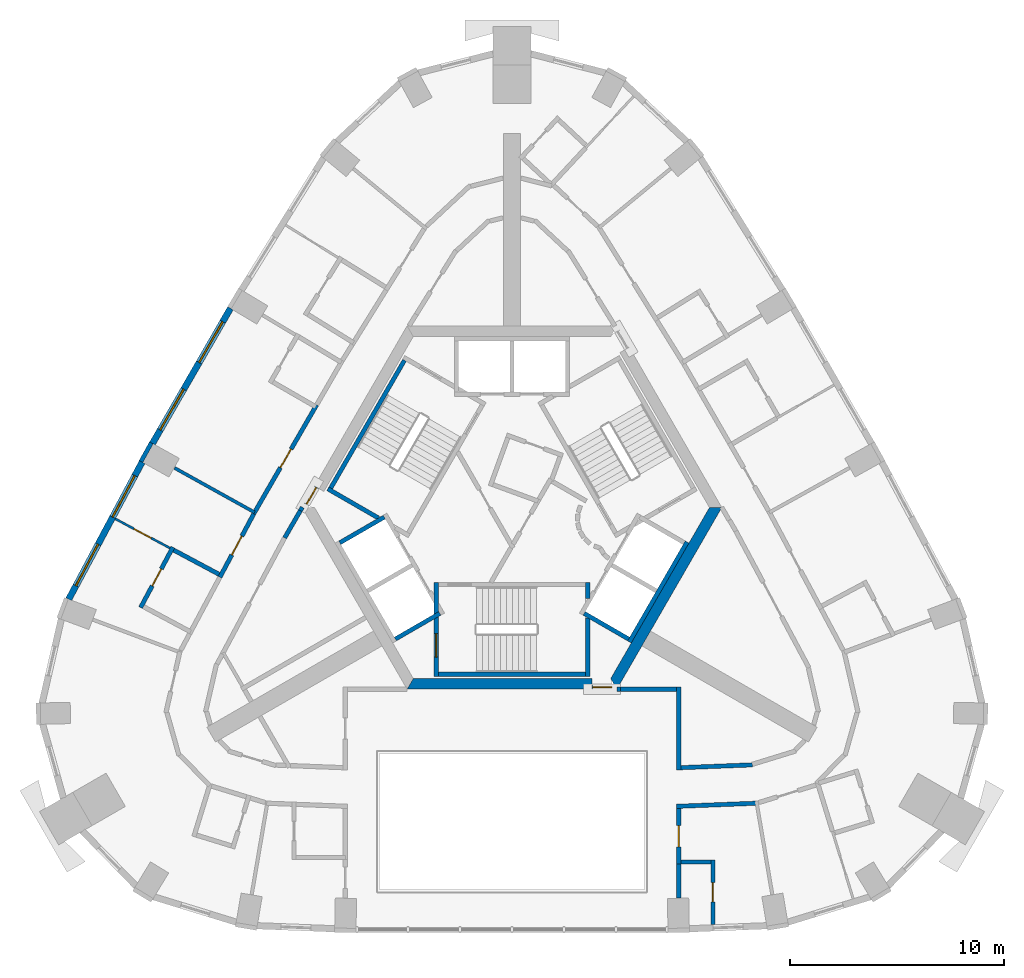
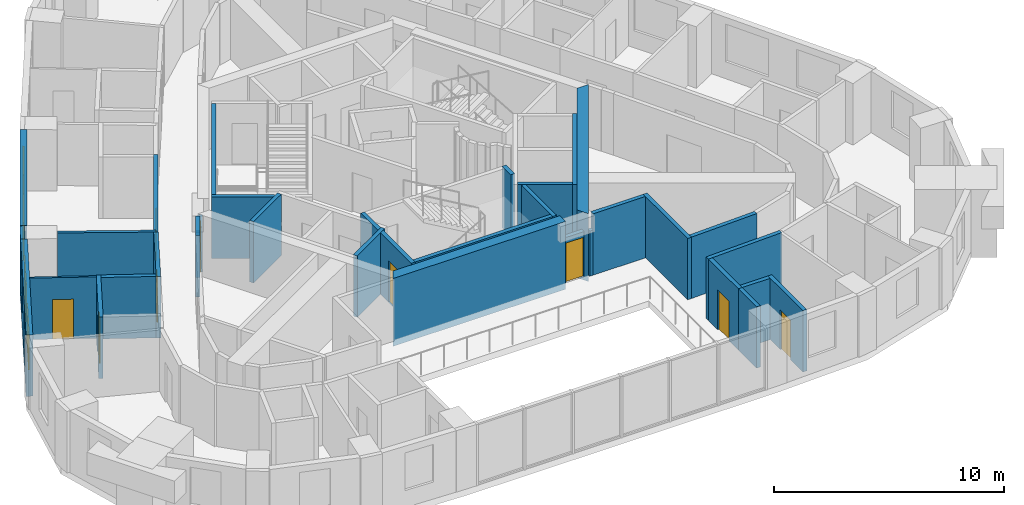
# One storey, part 3 of 10: 34 walls, 9 doors, 4 windows, 13 openings.
"""IFC4 building model written with IfcOpenShell, lengths in metres."""

from ifc_helpers import new_model, si_unit, direction, frame, frame_2d, origin, place, context, subcontext, project, spatial, polyline, rectangle, outline, extrude, material, layer, layer_set, type_object, element, fill, save


model = new_model("IFC4")

# Units and contexts
model_context = context("Model", 3, precision=1e-05, world=origin(), true_north=direction((0.0, 1.0)))
body_context = subcontext(model_context, "Body", "Model", "MODEL_VIEW")
ifc_project = project(units=[si_unit("LENGTHUNIT", "METRE"), si_unit("AREAUNIT", "SQUARE_METRE"), si_unit("VOLUMEUNIT", "CUBIC_METRE"), si_unit("PLANEANGLEUNIT", "RADIAN"), si_unit("MASSUNIT", "GRAM", prefix="KILO")], contexts=[model_context])

# Site, building, storey
site_placement = place(None, origin())
site = spatial("IfcSite", under=ifc_project, at=site_placement, CompositionType="ELEMENT")
building_placement = place(site_placement, origin())
building = spatial("IfcBuilding", under=site, at=building_placement, Name="Entoto Arch Interchange Tower", CompositionType="ELEMENT")
storey_placement = place(building_placement, frame((0.0, 0.0, 293.60009765625)))
storey = spatial("IfcBuildingStorey", under=building, at=storey_placement, Name="L68", CompositionType="ELEMENT", Elevation=293.60009765625)

# Wall, opening, door
ifc_material_1 = material(Name="Reinforced concrete C40/50", Category="concrete")
ifc_layer_1 = layer(ifc_material_1, 0.199951171875)
ifc_layer_set_1 = layer_set([ifc_layer_1], Name="Reinforced concrete C40/50")
wall_type_1 = type_object("IfcWallType", Name="CORE GAP INFILL WALL", PredefinedType="PARTITIONING", material=ifc_layer_set_1)
wall_1_placement = place(storey_placement, frame((3.75, -5.89990234375, 0.0), z_axis=(0.0, 0.0, 1.0), x_axis=(1.0, 0.0, 0.0)))
wall_1 = element("IfcWall", 1, at=wall_1_placement, inside=storey, type_object=wall_type_1, Name="wall:L68:gap1", PredefinedType="PARTITIONING", context=body_context, shape_type="SweptSolid", body=[
    extrude(rectangle(XDim=0.926025390625, YDim=0.199951171875, at=frame_2d((0.462890625, 0.0))), origin(), (0.0, 0.0, 1.0), 2.39990234375),
])
opening_1_placement = place(wall_1_placement, frame((0.01708984375, 0.0, 0.0)))
opening_1 = element("IfcOpeningElement", 2, at=opening_1_placement, cuts=wall_1, Name="Opening L68-D91", PredefinedType="OPENING", context=body_context, shape_type="SweptSolid", body=[
    extrude(rectangle(XDim=0.89990234375, YDim=2.10009765625, at=frame_2d((0.449951171875, 1.050048828125))), frame((0.0, 0.10986328125, 0.0), z_axis=(0.0, -1.0, 0.0), x_axis=(1.0, 0.0, 0.0)), (0.0, 0.0, 1.0), 0.219970703125),
])
ifc_material_2 = material(Name="Fire-rated Steel S235 door and frame", Category="steel")
door_type_1 = type_object("IfcDoorType", Name="DOOR FD-09 900x2100", OperationType="SINGLE_SWING_LEFT", PredefinedType="DOOR", material=ifc_material_2)
door_1_placement = place(opening_1_placement, origin())
door_1 = element("IfcDoor", 3, at=door_1_placement, inside=storey, type_object=door_type_1, Name="door:L68:gap1", OperationType="SINGLE_SWING_LEFT", OverallHeight=2.10009765625, OverallWidth=0.89990234375, PredefinedType="DOOR", context=body_context, shape_type="SweptSolid", body=[
    extrude(rectangle(XDim=0.89990234375, YDim=2.10009765625, at=frame_2d((0.449951171875, 1.050048828125))), frame((0.0, 0.02490234375, 0.0), z_axis=(0.0, -1.0, 0.0), x_axis=(1.0, 0.0, 0.0)), (0.0, 0.0, 1.0), 0.050048828125),
])
fill(opening_1, door_1)

wall_2_placement = place(storey_placement, frame((-9.14990234375, 3.451904296875, 0.0), z_axis=(0.0, 0.0, 1.0), x_axis=(-0.500079945886, -0.865979242085, 0.0)))
wall_2 = element("IfcWall", 4, at=wall_2_placement, inside=storey, type_object=wall_type_1, Name="wall:L68:gap3", PredefinedType="PARTITIONING", context=body_context, shape_type="SweptSolid", body=[
    extrude(rectangle(XDim=0.926025390625, YDim=0.199951171875, at=frame_2d((0.462890625, 0.0))), origin(), (0.0, 0.0, 1.0), 2.39990234375),
])
opening_2_placement = place(wall_2_placement, frame((0.01708984375, 0.0, 0.0)))
opening_2 = element("IfcOpeningElement", 5, at=opening_2_placement, cuts=wall_2, Name="Opening L68-D93", PredefinedType="OPENING", context=body_context, shape_type="SweptSolid", body=[
    extrude(rectangle(XDim=0.89990234375, YDim=2.10009765625, at=frame_2d((0.449951171875, 1.050048828125))), frame((0.0, 0.10986328125, 0.0), z_axis=(0.0, -1.0, 0.0), x_axis=(1.0, 0.0, 0.0)), (0.0, 0.0, 1.0), 0.219970703125),
])
door_2_placement = place(opening_2_placement, origin())
door_2 = element("IfcDoor", 6, at=door_2_placement, inside=storey, type_object=door_type_1, Name="door:L68:gap3", OperationType="SINGLE_SWING_LEFT", OverallHeight=2.10009765625, OverallWidth=0.89990234375, PredefinedType="DOOR", context=body_context, shape_type="SweptSolid", body=[
    extrude(rectangle(XDim=0.89990234375, YDim=2.10009765625, at=frame_2d((0.449951171875, 1.050048828125))), frame((0.0, 0.02490234375, 0.0), z_axis=(0.0, -1.0, 0.0), x_axis=(1.0, 0.0, 0.0)), (0.0, 0.0, 1.0), 0.050048828125),
])
fill(opening_2, door_2)

# Walls
ifc_material_3 = material(Name="Concrete C40/50", Category="concrete")
ifc_layer_2 = layer(ifc_material_3, 0.5)
ifc_layer_set_2 = layer_set([ifc_layer_2], Name="Concrete C40/50")
wall_type_2 = type_object("IfcWallType", Name="Core wall 500 C40/50", PredefinedType="SHEAR", material=ifc_layer_set_2)
wall_3_placement = place(storey_placement, frame((0.0, 0.0, -0.340087890625)))
element("IfcWall", 7, at=wall_3_placement, inside=storey, type_object=wall_type_2, Name="Core wall S L68", PredefinedType="SHEAR", context=body_context, shape_type="SweptSolid", body=[
    extrude(outline(polyline([(3.75, -6.0), (3.75, -5.5), (-4.618896484375, -5.5), (-4.906982421875, -6.0), (3.75, -6.0)])), origin(), (0.0, 0.0, 1.0), 3.60009765625),
])
wall_4_placement = place(storey_placement, frame((0.0, 0.0, -0.340087890625)))
element("IfcWall", 8, at=wall_4_placement, inside=storey, type_object=wall_type_2, Name="Core wall SE L68", PredefinedType="SHEAR", context=body_context, shape_type="SweptSolid", body=[
    extrude(outline(polyline([(4.906982421875, -6.0), (9.81494140625, 2.5), (9.238037109375, 2.5), (4.618896484375, -5.5), (4.906982421875, -6.0)])), origin(), (0.0, 0.0, 1.0), 3.60009765625),
])
ifc_layer_3 = layer(ifc_material_3, 0.199951171875)
ifc_layer_set_3 = layer_set([ifc_layer_3], Name="Concrete C40/50")
wall_type_3 = type_object("IfcWallType", Name="LIFT SHAFT WALL 200", PredefinedType="STANDARD", material=ifc_layer_set_3)
wall_5_placement = place(storey_placement, frame((-5.97705078125, 2.052001953125, 0.0), z_axis=(0.0, 0.0, 1.0), x_axis=(-0.865973769406, -0.500089422704, 0.0)))
element("IfcWall", 9, at=wall_5_placement, inside=storey, type_object=wall_type_3, Name="Shaft wall SW1 cross 1", PredefinedType="STANDARD", context=body_context, shape_type="SweptSolid", body=[
    extrude(rectangle(XDim=2.3994140625, YDim=0.199951171875, at=frame_2d((1.19970703125, 0.0))), origin(), (0.0, 0.0, 1.0), 3.260009765625),
])
wall_6_placement = place(storey_placement, frame((-3.376953125, -2.451904296875, 0.0), z_axis=(0.0, 0.0, 1.0), x_axis=(-0.865955154139, -0.50012165622, 0.0)))
element("IfcWall", 10, at=wall_6_placement, inside=storey, type_object=wall_type_3, Name="Shaft wall SW1 cross 3", PredefinedType="STANDARD", context=body_context, shape_type="SweptSolid", body=[
    extrude(rectangle(XDim=2.39990234375, YDim=0.199951171875, at=frame_2d((1.199951171875, 0.0))), origin(), (0.0, 0.0, 1.0), 3.260009765625),
])
wall_7_placement = place(storey_placement, frame((5.491943359375, -3.7880859375, 0.0), z_axis=(0.0, 0.0, 1.0), x_axis=(0.500034260056, 0.866005622828, 0.0)))
element("IfcWall", 11, at=wall_7_placement, inside=storey, type_object=wall_type_3, Name="Shaft wall SE1 back", PredefinedType="STANDARD", context=body_context, shape_type="SweptSolid", body=[
    extrude(rectangle(XDim=5.3994140625, YDim=0.199951171875, at=frame_2d((2.69970703125, 0.0))), origin(), (0.0, 0.0, 1.0), 3.260009765625),
])
wall_8_placement = place(storey_placement, frame((3.376953125, -2.451904296875, 0.0), z_axis=(0.0, 0.0, 1.0), x_axis=(0.865955154139, -0.50012165622, 0.0)))
element("IfcWall", 12, at=wall_8_placement, inside=storey, type_object=wall_type_3, Name="Shaft wall SE1 cross 1", PredefinedType="STANDARD", context=body_context, shape_type="SweptSolid", body=[
    extrude(rectangle(XDim=2.39990234375, YDim=0.199951171875, at=frame_2d((1.199951171875, 0.0))), origin(), (0.0, 0.0, 1.0), 3.260009765625),
])

# Wall, opening, door
ifc_material_4 = material(Name="Gypsum board partition on steel studs", Category="steel")
ifc_layer_4 = layer(ifc_material_4, 0.10009765625)
ifc_layer_set_4 = layer_set([ifc_layer_4], Name="Gypsum board partition on steel studs")
wall_type_4 = type_object("IfcWallType", Name="PARTITION 100", PredefinedType="PARTITIONING", material=ifc_layer_set_4)
wall_9_placement = place(storey_placement, frame((-16.0, 0.60205078125, 0.0), z_axis=(0.0, 0.0, 1.0), x_axis=(-0.881743923375, 0.47172836844, 0.0)))
wall_9 = element("IfcWall", 13, at=wall_9_placement, inside=storey, type_object=wall_type_4, Name="wall:L68:p122", PredefinedType="PARTITIONING", context=body_context, shape_type="SweptSolid", body=[
    extrude(rectangle(XDim=2.89990234375, YDim=0.10009765625, at=frame_2d((1.449951171875, 0.0))), origin(), (0.0, 0.0, 1.0), 3.260009765625),
])
opening_3_placement = place(wall_9_placement, frame((1.0, 0.0, 0.0)))
opening_3 = element("IfcOpeningElement", 14, at=opening_3_placement, cuts=wall_9, Name="Opening L68-D22", PredefinedType="OPENING", context=body_context, shape_type="SweptSolid", body=[
    extrude(rectangle(XDim=0.89990234375, YDim=2.10009765625, at=frame_2d((0.449951171875, 1.050048828125))), frame((0.0, 0.06005859375, 0.0), z_axis=(0.0, -1.0, 0.0), x_axis=(1.0, 0.0, 0.0)), (0.0, 0.0, 1.0), 0.1201171875),
])
ifc_material_5 = material(Name="Timber door leaf in Steel S235 frame", Category="steel")
door_type_2 = type_object("IfcDoorType", Name="DOOR DS-09 900x2100", OperationType="SINGLE_SWING_LEFT", PredefinedType="DOOR", material=ifc_material_5)
door_3_placement = place(opening_3_placement, origin())
door_3 = element("IfcDoor", 15, at=door_3_placement, inside=storey, type_object=door_type_2, Name="door:L68:22", OperationType="SINGLE_SWING_LEFT", OverallHeight=2.10009765625, OverallWidth=0.89990234375, PredefinedType="DOOR", context=body_context, shape_type="SweptSolid", body=[
    extrude(rectangle(XDim=0.89990234375, YDim=2.10009765625, at=frame_2d((0.449951171875, 1.050048828125))), frame((0.0, 0.02490234375, 0.0), z_axis=(0.0, -1.0, 0.0), x_axis=(1.0, 0.0, 0.0)), (0.0, 0.0, 1.0), 0.050048828125),
])
fill(opening_3, door_3)

# Walls
ifc_layer_5 = layer(ifc_material_4, 0.14990234375)
ifc_layer_set_5 = layer_set([ifc_layer_5], Name="Gypsum board partition on steel studs")
wall_type_5 = type_object("IfcWallType", Name="PARTITION 150", PredefinedType="PARTITIONING", material=ifc_layer_set_5)
wall_10_placement = place(storey_placement, frame((-12.044921875, 2.27197265625, 0.0), z_axis=(0.0, 0.0, 1.0), x_axis=(-0.873982340973, 0.485957680943, 0.0)))
element("IfcWall", 16, at=wall_10_placement, inside=storey, type_object=wall_type_5, Name="wall:L68:p121", PredefinedType="PARTITIONING", context=body_context, shape_type="SweptSolid", body=[
    extrude(rectangle(XDim=4.2802734375, YDim=0.14990234375, at=frame_2d((2.14013671875, 0.0))), origin(), (0.0, 0.0, 1.0), 3.260009765625),
])
ifc_layer_6 = layer(ifc_material_4, 0.199951171875)
ifc_layer_set_6 = layer_set([ifc_layer_6], Name="Gypsum board partition on steel studs")
wall_type_6 = type_object("IfcWallType", Name="PARTITION 200", PredefinedType="PARTITIONING", material=ifc_layer_set_6)
wall_11_placement = place(storey_placement, frame((7.89990234375, -9.6708984375, 0.0), z_axis=(0.0, 0.0, 1.0), x_axis=(0.999223751627, 0.039394088186, 0.0)))
element("IfcWall", 17, at=wall_11_placement, inside=storey, type_object=wall_type_6, Name="wall:L68:p013", PredefinedType="PARTITIONING", context=body_context, shape_type="SweptSolid", body=[
    extrude(rectangle(XDim=3.3466796875, YDim=0.199951171875, at=frame_2d((1.67333984375, 0.0))), origin(), (0.0, 0.0, 1.0), 3.260009765625),
])
wall_12_placement = place(storey_placement, frame((-9.80908203125, 2.513916015625, 0.0), z_axis=(0.0, 0.0, 1.0), x_axis=(-0.497849076449, -0.867263683708, 0.0)))
element("IfcWall", 18, at=wall_12_placement, inside=storey, type_object=wall_type_6, Name="wall:L68:p021", PredefinedType="PARTITIONING", context=body_context, shape_type="SweptSolid", body=[
    extrude(rectangle(XDim=0.184326171875, YDim=0.199951171875, at=frame_2d((0.09228515625, 0.0))), origin(), (0.0, 0.0, 1.0), 2.39990234375),
])
wall_13_placement = place(storey_placement, frame((11.47412109375, -11.33203125, 0.0), z_axis=(0.0, 0.0, 1.0), x_axis=(-0.999232546126, -0.039170381199, 0.0)))
element("IfcWall", 19, at=wall_13_placement, inside=storey, type_object=wall_type_6, Name="wall:L68:p030", PredefinedType="PARTITIONING", context=body_context, shape_type="SweptSolid", body=[
    extrude(rectangle(XDim=3.777099609375, YDim=0.199951171875, at=frame_2d((1.888671875, 0.0))), origin(), (0.0, 0.0, 1.0), 3.260009765625),
])

# Wall, opening, door
wall_14_placement = place(storey_placement, frame((-12.08203125, 2.20703125, 0.0), z_axis=(0.0, 0.0, 1.0), x_axis=(0.500123454404, 0.865954115618, 0.0)))
wall_14 = element("IfcWall", 20, at=wall_14_placement, inside=storey, type_object=wall_type_6, Name="wall:L68:p049", PredefinedType="PARTITIONING", context=body_context, shape_type="SweptSolid", body=[
    extrude(rectangle(XDim=5.884765625, YDim=0.199951171875, at=frame_2d((2.9423828125, 0.0))), origin(), (0.0, 0.0, 1.0), 3.260009765625),
])
opening_4_placement = place(wall_14_placement, frame((2.492919921875, 0.0, 0.0)))
opening_4 = element("IfcOpeningElement", 21, at=opening_4_placement, cuts=wall_14, Name="Opening L68-D19", PredefinedType="OPENING", context=body_context, shape_type="SweptSolid", body=[
    extrude(rectangle(XDim=1.0, YDim=2.10009765625, at=frame_2d((0.5, 1.050048828125))), frame((0.0, 0.10986328125, 0.0), z_axis=(0.0, -1.0, 0.0), x_axis=(1.0, 0.0, 0.0)), (0.0, 0.0, 1.0), 0.219970703125),
])
door_type_3 = type_object("IfcDoorType", Name="DOOR FD-10 1000x2100", OperationType="SINGLE_SWING_LEFT", PredefinedType="DOOR", material=ifc_material_2)
door_4_placement = place(opening_4_placement, origin())
door_4 = element("IfcDoor", 22, at=door_4_placement, inside=storey, type_object=door_type_3, Name="door:L68:19", OperationType="SINGLE_SWING_LEFT", OverallHeight=2.10009765625, OverallWidth=1.0, PredefinedType="DOOR", context=body_context, shape_type="SweptSolid", body=[
    extrude(rectangle(XDim=1.0, YDim=2.10009765625, at=frame_2d((0.5, 1.050048828125))), frame((0.0, 0.02490234375, 0.0), z_axis=(0.0, -1.0, 0.0), x_axis=(1.0, 0.0, 0.0)), (0.0, 0.0, 1.0), 0.050048828125),
])
fill(opening_4, door_4)

wall_15_placement = place(storey_placement, frame((-13.666015625, -0.760009765625, 0.0), z_axis=(0.0, 0.0, 1.0), x_axis=(0.471643060173, 0.881789557543, 0.0)))
wall_15 = element("IfcWall", 23, at=wall_15_placement, inside=storey, type_object=wall_type_6, Name="wall:L68:p051", PredefinedType="PARTITIONING", context=body_context, shape_type="SweptSolid", body=[
    extrude(rectangle(XDim=3.362548828125, YDim=0.199951171875, at=frame_2d((1.68115234375, 0.0))), origin(), (0.0, 0.0, 1.0), 3.260009765625),
])
opening_5_placement = place(wall_15_placement, frame((1.180908203125, 0.0, 0.0)))
opening_5 = element("IfcOpeningElement", 24, at=opening_5_placement, cuts=wall_15, Name="Opening L68-D21", PredefinedType="OPENING", context=body_context, shape_type="SweptSolid", body=[
    extrude(rectangle(XDim=1.0, YDim=2.10009765625, at=frame_2d((0.5, 1.050048828125))), frame((0.0, 0.10986328125, 0.0), z_axis=(0.0, -1.0, 0.0), x_axis=(1.0, 0.0, 0.0)), (0.0, 0.0, 1.0), 0.219970703125),
])
door_5_placement = place(opening_5_placement, origin())
door_5 = element("IfcDoor", 25, at=door_5_placement, inside=storey, type_object=door_type_3, Name="door:L68:21", OperationType="SINGLE_SWING_LEFT", OverallHeight=2.10009765625, OverallWidth=1.0, PredefinedType="DOOR", context=body_context, shape_type="SweptSolid", body=[
    extrude(rectangle(XDim=1.0, YDim=2.10009765625, at=frame_2d((0.5, 1.050048828125))), frame((0.0, 0.02490234375, 0.0), z_axis=(0.0, -1.0, 0.0), x_axis=(1.0, 0.0, 0.0)), (0.0, 0.0, 1.0), 0.050048828125),
])
fill(opening_5, door_5)

# Walls
wall_16_placement = place(storey_placement, frame((4.907958984375, -5.9990234375, 0.0), z_axis=(0.0, 0.0, 1.0), x_axis=(1.0, 0.0, 0.0)))
element("IfcWall", 26, at=wall_16_placement, inside=storey, type_object=wall_type_6, Name="wall:L68:p073", PredefinedType="PARTITIONING", context=body_context, shape_type="SweptSolid", body=[
    extrude(rectangle(XDim=0.16796875, YDim=0.199951171875, at=frame_2d((0.083984375, 0.0))), origin(), (0.0, 0.0, 1.0), 2.39990234375),
])
wall_17_placement = place(storey_placement, frame((7.800048828125, -5.89892578125, 0.0), z_axis=(0.0, 0.0, 1.0), x_axis=(0.0, -1.0, 0.0)))
element("IfcWall", 27, at=wall_17_placement, inside=storey, type_object=wall_type_6, Name="wall:L68:p074", PredefinedType="PARTITIONING", context=body_context, shape_type="SweptSolid", body=[
    extrude(rectangle(XDim=3.8759765625, YDim=0.199951171875, at=frame_2d((1.93798828125, 0.0))), origin(), (0.0, 0.0, 1.0), 3.260009765625),
])

# Wall, opening, door
wall_18_placement = place(storey_placement, frame((7.800048828125, -11.575927734375, 0.0), z_axis=(0.0, 0.0, 1.0), x_axis=(0.0, -1.0, 0.0)))
wall_18 = element("IfcWall", 28, at=wall_18_placement, inside=storey, type_object=wall_type_6, Name="wall:L68:p077", PredefinedType="PARTITIONING", context=body_context, shape_type="SweptSolid", body=[
    extrude(rectangle(XDim=2.60498046875, YDim=0.199951171875, at=frame_2d((1.302490234375, 0.0))), origin(), (0.0, 0.0, 1.0), 3.260009765625),
])
opening_6_placement = place(wall_18_placement, frame((0.802001953125, 0.0, 0.0)))
opening_6 = element("IfcOpeningElement", 29, at=opening_6_placement, cuts=wall_18, Name="Opening L68-D01", PredefinedType="OPENING", context=body_context, shape_type="SweptSolid", body=[
    extrude(rectangle(XDim=1.0, YDim=2.10009765625, at=frame_2d((0.5, 1.050048828125))), frame((0.0, 0.10986328125, 0.0), z_axis=(0.0, -1.0, 0.0), x_axis=(1.0, 0.0, 0.0)), (0.0, 0.0, 1.0), 0.219970703125),
])
door_6_placement = place(opening_6_placement, origin())
door_6 = element("IfcDoor", 30, at=door_6_placement, inside=storey, type_object=door_type_3, Name="door:L68:01", OperationType="SINGLE_SWING_LEFT", OverallHeight=2.10009765625, OverallWidth=1.0, PredefinedType="DOOR", context=body_context, shape_type="SweptSolid", body=[
    extrude(rectangle(XDim=1.0, YDim=2.10009765625, at=frame_2d((0.5, 1.050048828125))), frame((0.0, 0.02490234375, 0.0), z_axis=(0.0, -1.0, 0.0), x_axis=(1.0, 0.0, 0.0)), (0.0, 0.0, 1.0), 0.050048828125),
])
fill(opening_6, door_6)

# Wall
wall_19_placement = place(storey_placement, frame((7.800048828125, -14.180908203125, 0.0), z_axis=(0.0, 0.0, 1.0), x_axis=(0.0, -1.0, 0.0)))
element("IfcWall", 31, at=wall_19_placement, inside=storey, type_object=wall_type_6, Name="wall:L68:p078", PredefinedType="PARTITIONING", context=body_context, shape_type="SweptSolid", body=[
    extrude(rectangle(XDim=1.580078125, YDim=0.199951171875, at=frame_2d((0.7900390625, 0.0))), origin(), (0.0, 0.0, 1.0), 3.260009765625),
])

# Wall, opening, door
wall_20_placement = place(storey_placement, frame((9.39990234375, -17.01806640625, 0.0), z_axis=(0.0, 0.0, 1.0), x_axis=(0.0, 1.0, 0.0)))
wall_20 = element("IfcWall", 32, at=wall_20_placement, inside=storey, type_object=wall_type_6, Name="wall:L68:p085", PredefinedType="PARTITIONING", context=body_context, shape_type="SweptSolid", body=[
    extrude(rectangle(XDim=3.037109375, YDim=0.199951171875, at=frame_2d((1.5185546875, 0.0))), origin(), (0.0, 0.0, 1.0), 3.260009765625),
])
opening_7_placement = place(wall_20_placement, frame((1.069091796875, 0.0, 0.0)))
opening_7 = element("IfcOpeningElement", 33, at=opening_7_placement, cuts=wall_20, Name="Opening L68-D02", PredefinedType="OPENING", context=body_context, shape_type="SweptSolid", body=[
    extrude(rectangle(XDim=0.89990234375, YDim=2.10009765625, at=frame_2d((0.449951171875, 1.050048828125))), frame((0.0, 0.10986328125, 0.0), z_axis=(0.0, -1.0, 0.0), x_axis=(1.0, 0.0, 0.0)), (0.0, 0.0, 1.0), 0.219970703125),
])
door_7_placement = place(opening_7_placement, origin())
door_7 = element("IfcDoor", 34, at=door_7_placement, inside=storey, type_object=door_type_2, Name="door:L68:02", OperationType="SINGLE_SWING_RIGHT", OverallHeight=2.10009765625, OverallWidth=0.89990234375, PredefinedType="DOOR", context=body_context, shape_type="SweptSolid", body=[
    extrude(rectangle(XDim=0.89990234375, YDim=2.10009765625, at=frame_2d((0.449951171875, 1.050048828125))), frame((0.0, 0.02490234375, 0.0), z_axis=(0.0, -1.0, 0.0), x_axis=(1.0, 0.0, 0.0)), (0.0, 0.0, 1.0), 0.050048828125),
])
fill(opening_7, door_7)

# Walls
wall_21_placement = place(storey_placement, frame((9.300048828125, -14.0810546875, 0.0), z_axis=(0.0, 0.0, 1.0), x_axis=(-1.0, 0.0, 0.0)))
element("IfcWall", 35, at=wall_21_placement, inside=storey, type_object=wall_type_6, Name="wall:L68:p086", PredefinedType="PARTITIONING", context=body_context, shape_type="SweptSolid", body=[
    extrude(rectangle(XDim=1.400146484375, YDim=0.199951171875, at=frame_2d((0.7001953125, 0.0))), origin(), (0.0, 0.0, 1.0), 3.260009765625),
])
wall_22_placement = place(storey_placement, frame((-13.70703125, -0.6240234375, 0.0), z_axis=(0.0, 0.0, 1.0), x_axis=(-0.881825950813, 0.471575012562, 0.0)))
element("IfcWall", 36, at=wall_22_placement, inside=storey, type_object=wall_type_6, Name="wall:L68:p123", PredefinedType="PARTITIONING", context=body_context, shape_type="SweptSolid", body=[
    extrude(rectangle(XDim=2.400634765625, YDim=0.199951171875, at=frame_2d((1.2001953125, 0.0))), origin(), (0.0, 0.0, 1.0), 3.260009765625),
])

# Wall, opening, door
wall_23_placement = place(storey_placement, frame((-15.864990234375, 0.64306640625, 0.0), z_axis=(0.0, 0.0, 1.0), x_axis=(-0.471677088066, -0.881771356188, 0.0)))
wall_23 = element("IfcWall", 37, at=wall_23_placement, inside=storey, type_object=wall_type_6, Name="wall:L68:p124", PredefinedType="PARTITIONING", context=body_context, shape_type="SweptSolid", body=[
    extrude(rectangle(XDim=3.19921875, YDim=0.199951171875, at=frame_2d((1.599609375, 0.0))), origin(), (0.0, 0.0, 1.0), 3.260009765625),
])
opening_8_placement = place(wall_23_placement, frame((1.14990234375, 0.0, 0.0)))
opening_8 = element("IfcOpeningElement", 38, at=opening_8_placement, cuts=wall_23, Name="Opening L68-D23", PredefinedType="OPENING", context=body_context, shape_type="SweptSolid", body=[
    extrude(rectangle(XDim=0.89990234375, YDim=2.10009765625, at=frame_2d((0.449951171875, 1.050048828125))), frame((0.0, 0.10986328125, 0.0), z_axis=(0.0, -1.0, 0.0), x_axis=(1.0, 0.0, 0.0)), (0.0, 0.0, 1.0), 0.219970703125),
])
door_8_placement = place(opening_8_placement, origin())
door_8 = element("IfcDoor", 39, at=door_8_placement, inside=storey, type_object=door_type_2, Name="door:L68:23", OperationType="SINGLE_SWING_LEFT", OverallHeight=2.10009765625, OverallWidth=0.89990234375, PredefinedType="DOOR", context=body_context, shape_type="SweptSolid", body=[
    extrude(rectangle(XDim=0.89990234375, YDim=2.10009765625, at=frame_2d((0.449951171875, 1.050048828125))), frame((0.0, 0.02490234375, 0.0), z_axis=(0.0, -1.0, 0.0), x_axis=(1.0, 0.0, 0.0)), (0.0, 0.0, 1.0), 0.050048828125),
])
fill(opening_8, door_8)

# Walls
wall_24_placement = place(storey_placement, frame((-9.90087890625, 2.35400390625, 0.0), z_axis=(0.0, 0.0, 1.0), x_axis=(-0.500374498448, -0.865809079014, 0.0)))
element("IfcWall", 40, at=wall_24_placement, inside=storey, type_object=wall_type_6, Name="wall:L68:p021", PredefinedType="PARTITIONING", context=body_context, shape_type="SweptSolid", body=[
    extrude(rectangle(XDim=1.468994140625, YDim=0.199951171875, at=frame_2d((0.734375, 0.0))), origin(), (0.0, 0.0, 1.0), 3.260009765625),
])
wall_25_placement = place(storey_placement, frame((5.075927734375, -5.9990234375, 0.0), z_axis=(0.0, 0.0, 1.0), x_axis=(1.0, 0.0, 0.0)))
element("IfcWall", 41, at=wall_25_placement, inside=storey, type_object=wall_type_6, Name="wall:L68:p073", PredefinedType="PARTITIONING", context=body_context, shape_type="SweptSolid", body=[
    extrude(rectangle(XDim=2.6240234375, YDim=0.199951171875, at=frame_2d((1.31201171875, 0.0))), origin(), (0.0, 0.0, 1.0), 3.260009765625),
])

# Wall, opening, door
ifc_layer_7 = layer(ifc_material_3, 0.199951171875)
ifc_layer_set_7 = layer_set([ifc_layer_7], Name="Concrete C40/50")
wall_type_7 = type_object("IfcWallType", Name="STAIR ENCLOSURE WALL 200", PredefinedType="STANDARD", material=ifc_layer_set_7)
wall_26_placement = place(storey_placement, frame((-3.550048828125, -1.0, 0.0), z_axis=(0.0, 0.0, 1.0), x_axis=(0.0, -1.0, 0.0)))
wall_26 = element("IfcWall", 42, at=wall_26_placement, inside=storey, type_object=wall_type_7, Name="Stair wall ST-S near", PredefinedType="STANDARD", context=body_context, shape_type="SweptSolid", body=[
    extrude(rectangle(XDim=4.39990234375, YDim=0.199951171875, at=frame_2d((2.199951171875, 0.0))), origin(), (0.0, 0.0, 1.0), 3.260009765625),
])
opening_9_placement = place(wall_26_placement, frame((2.39990234375, 0.0, 0.0)))
opening_9 = element("IfcOpeningElement", 43, at=opening_9_placement, cuts=wall_26, Name="Opening SD-ST-S-L68-E", PredefinedType="OPENING", context=body_context, shape_type="SweptSolid", body=[
    extrude(rectangle(XDim=1.10009765625, YDim=2.199951171875, at=frame_2d((0.550048828125, 1.10009765625))), frame((0.0, 0.10986328125, 0.0), z_axis=(0.0, -1.0, 0.0), x_axis=(1.0, 0.0, 0.0)), (0.0, 0.0, 1.0), 0.219970703125),
])
ifc_material_6 = material(Name="Steel S235", Category="steel")
door_type_4 = type_object("IfcDoorType", Name="STAIR DOOR SD1 1100x2200", OperationType="SINGLE_SWING_LEFT", PredefinedType="DOOR", material=ifc_material_6)
door_9_placement = place(opening_9_placement, origin())
door_9 = element("IfcDoor", 44, at=door_9_placement, inside=storey, type_object=door_type_4, Name="Stair door ST-S L68 end", OperationType="SINGLE_SWING_LEFT", OverallHeight=2.199951171875, OverallWidth=1.10009765625, PredefinedType="DOOR", context=body_context, shape_type="SweptSolid", body=[
    extrude(rectangle(XDim=1.10009765625, YDim=2.199951171875, at=frame_2d((0.550048828125, 1.10009765625))), frame((0.0, 0.02490234375, 0.0), z_axis=(0.0, -1.0, 0.0), x_axis=(1.0, 0.0, 0.0)), (0.0, 0.0, 1.0), 0.050048828125),
])
fill(opening_9, door_9)

# Walls
wall_27_placement = place(storey_placement, frame((3.550048828125, -2.6669921875, 0.0), z_axis=(0.0, 0.0, 1.0), x_axis=(0.0, -1.0, 0.0)))
element("IfcWall", 45, at=wall_27_placement, inside=storey, type_object=wall_type_7, Name="Stair wall ST-S far", PredefinedType="STANDARD", context=body_context, shape_type="SweptSolid", body=[
    extrude(rectangle(XDim=2.73291015625, YDim=0.199951171875, at=frame_2d((1.366455078125, 0.0))), origin(), (0.0, 0.0, 1.0), 3.260009765625),
])
wall_28_placement = place(storey_placement, frame((3.550048828125, -1.0, 0.0), z_axis=(0.0, 0.0, 1.0), x_axis=(0.0, -1.0, 0.0)))
element("IfcWall", 46, at=wall_28_placement, inside=storey, type_object=wall_type_7, Name="Stair wall ST-S far return", PredefinedType="STANDARD", context=body_context, shape_type="SweptSolid", body=[
    extrude(rectangle(XDim=0.7509765625, YDim=0.199951171875, at=frame_2d((0.37548828125, 0.0))), origin(), (0.0, 0.0, 1.0), 3.260009765625),
])
wall_29_placement = place(storey_placement, frame((-3.449951171875, -5.300048828125, 0.0), z_axis=(0.0, 0.0, 1.0), x_axis=(1.0, 0.0, 0.0)))
element("IfcWall", 47, at=wall_29_placement, inside=storey, type_object=wall_type_7, Name="Stair wall ST-S back", PredefinedType="STANDARD", context=body_context, shape_type="SweptSolid", body=[
    extrude(rectangle(XDim=6.89990234375, YDim=0.199951171875, at=frame_2d((3.449951171875, 0.0))), origin(), (0.0, 0.0, 1.0), 3.260009765625),
])
wall_30_placement = place(storey_placement, frame((-6.25, 2.010009765625, 0.0), z_axis=(0.0, 0.0, 1.0), x_axis=(-0.86611865017, 0.499838457731, 0.0)))
element("IfcWall", 48, at=wall_30_placement, inside=storey, type_object=wall_type_7, Name="Stair wall ST-NW far", PredefinedType="STANDARD", context=body_context, shape_type="SweptSolid", body=[
    extrude(rectangle(XDim=2.73291015625, YDim=0.199951171875, at=frame_2d((1.366455078125, 0.0))), origin(), (0.0, 0.0, 1.0), 3.260009765625),
])
wall_31_placement = place(storey_placement, frame((-5.030029296875, 9.387939453125, 0.0), z_axis=(0.0, 0.0, 1.0), x_axis=(-0.499978703459, -0.866037698999, 0.0)))
element("IfcWall", 49, at=wall_31_placement, inside=storey, type_object=wall_type_7, Name="Stair wall ST-NW back", PredefinedType="STANDARD", context=body_context, shape_type="SweptSolid", body=[
    extrude(rectangle(XDim=6.900146484375, YDim=0.199951171875, at=frame_2d((3.4501953125, 0.0))), origin(), (0.0, 0.0, 1.0), 3.260009765625),
])

# Wall, openings, windows
ifc_material_7 = material(Name="Welded tuff (ignimbrite) cladding, warm buff", Category="masonry")
ifc_layer_8 = layer(ifc_material_7, 0.300048828125)
ifc_layer_set_8 = layer_set([ifc_layer_8], Name="Welded tuff (ignimbrite) cladding, warm buff")
wall_type_8 = type_object("IfcWallType", Name="STONE INFILL WALL 300", PredefinedType="STANDARD", material=ifc_layer_set_8)
wall_32_placement = place(storey_placement, frame((-13.172119140625, 11.819091796875, 0.0), z_axis=(0.0, 0.0, 1.0), x_axis=(-0.499945412946, -0.866056917341, 0.0)))
wall_32 = element("IfcWall", 50, at=wall_32_placement, inside=storey, type_object=wall_type_8, Name="Facade wall NW-02 L68", PredefinedType="STANDARD", context=body_context, shape_type="SweptSolid", body=[
    extrude(rectangle(XDim=7.298583984375, YDim=0.300048828125, at=frame_2d((3.6494140625, 0.0))), origin(), (0.0, 0.0, 1.0), 3.260009765625),
])
opening_10_placement = place(wall_32_placement, frame((0.72509765625, 0.0, 0.89990234375)))
opening_10 = element("IfcOpeningElement", 51, at=opening_10_placement, cuts=wall_32, Name="Opening WH-A", PredefinedType="OPENING", context=body_context, shape_type="SweptSolid", body=[
    extrude(rectangle(XDim=2.199951171875, YDim=2.0, at=frame_2d((1.10009765625, 1.0))), frame((0.0, 0.16015625, 0.0), z_axis=(0.0, -1.0, 0.0), x_axis=(1.0, 0.0, 0.0)), (0.0, 0.0, 1.0), 0.320068359375),
])
opening_11_placement = place(wall_32_placement, frame((4.3740234375, 0.0, 0.89990234375)))
opening_11 = element("IfcOpeningElement", 52, at=opening_11_placement, cuts=wall_32, Name="Opening WH-A", PredefinedType="OPENING", context=body_context, shape_type="SweptSolid", body=[
    extrude(rectangle(XDim=2.199951171875, YDim=2.0, at=frame_2d((1.10009765625, 1.0))), frame((0.0, 0.16015625, 0.0), z_axis=(0.0, -1.0, 0.0), x_axis=(1.0, 0.0, 0.0)), (0.0, 0.0, 1.0), 0.320068359375),
])
ifc_material_8 = material(Name="Clear glass, low-e double glazed", Category="glass")
window_type = type_object("IfcWindowType", Name="WINDOW WH-A 2200x2000", PartitioningType="DOUBLE_PANEL_VERTICAL", PredefinedType="WINDOW", material=ifc_material_8)
window_1_placement = place(opening_10_placement, origin())
window_1 = element("IfcWindow", 53, at=window_1_placement, inside=storey, type_object=window_type, Name="Window WH-A NW-02 L68", OverallHeight=2.0, OverallWidth=2.199951171875, PartitioningType="SINGLE_PANEL", PredefinedType="WINDOW", context=body_context, shape_type="SweptSolid", body=[
    extrude(rectangle(XDim=2.199951171875, YDim=2.0, at=frame_2d((1.10009765625, 1.0))), frame((0.0, 0.030029296875, 0.0), z_axis=(0.0, -1.0, 0.0), x_axis=(1.0, 0.0, 0.0)), (0.0, 0.0, 1.0), 0.06005859375),
])
fill(opening_10, window_1)
window_2_placement = place(opening_11_placement, origin())
window_2 = element("IfcWindow", 54, at=window_2_placement, inside=storey, type_object=window_type, Name="Window WH-A NW-02 L68", OverallHeight=2.0, OverallWidth=2.199951171875, PartitioningType="SINGLE_PANEL", PredefinedType="WINDOW", context=body_context, shape_type="SweptSolid", body=[
    extrude(rectangle(XDim=2.199951171875, YDim=2.0, at=frame_2d((1.10009765625, 1.0))), frame((0.0, 0.030029296875, 0.0), z_axis=(0.0, -1.0, 0.0), x_axis=(1.0, 0.0, 0.0)), (0.0, 0.0, 1.0), 0.06005859375),
])
fill(opening_11, window_2)

wall_33_placement = place(storey_placement, frame((-17.305908203125, 4.6259765625, 0.0), z_axis=(0.0, 0.0, 1.0), x_axis=(-0.471789353675, -0.881711293882, 0.0)))
wall_33 = element("IfcWall", 55, at=wall_33_placement, inside=storey, type_object=wall_type_8, Name="Facade wall NW-03 L68", PredefinedType="STANDARD", context=body_context, shape_type="SweptSolid", body=[
    extrude(rectangle(XDim=7.27685546875, YDim=0.300048828125, at=frame_2d((3.638427734375, 0.0))), origin(), (0.0, 0.0, 1.0), 3.260009765625),
])
opening_12_placement = place(wall_33_placement, frame((0.718994140625, 0.0, 0.89990234375)))
opening_12 = element("IfcOpeningElement", 56, at=opening_12_placement, cuts=wall_33, Name="Opening WH-A", PredefinedType="OPENING", context=body_context, shape_type="SweptSolid", body=[
    extrude(rectangle(XDim=2.199951171875, YDim=2.0, at=frame_2d((1.10009765625, 1.0))), frame((0.0, 0.16015625, 0.0), z_axis=(0.0, -1.0, 0.0), x_axis=(1.0, 0.0, 0.0)), (0.0, 0.0, 1.0), 0.320068359375),
])
opening_13_placement = place(wall_33_placement, frame((4.35791015625, 0.0, 0.89990234375)))
opening_13 = element("IfcOpeningElement", 57, at=opening_13_placement, cuts=wall_33, Name="Opening WH-A", PredefinedType="OPENING", context=body_context, shape_type="SweptSolid", body=[
    extrude(rectangle(XDim=2.199951171875, YDim=2.0, at=frame_2d((1.10009765625, 1.0))), frame((0.0, 0.16015625, 0.0), z_axis=(0.0, -1.0, 0.0), x_axis=(1.0, 0.0, 0.0)), (0.0, 0.0, 1.0), 0.320068359375),
])
window_3_placement = place(opening_12_placement, origin())
window_3 = element("IfcWindow", 58, at=window_3_placement, inside=storey, type_object=window_type, Name="Window WH-A NW-03 L68", OverallHeight=2.0, OverallWidth=2.199951171875, PartitioningType="SINGLE_PANEL", PredefinedType="WINDOW", context=body_context, shape_type="SweptSolid", body=[
    extrude(rectangle(XDim=2.199951171875, YDim=2.0, at=frame_2d((1.10009765625, 1.0))), frame((0.0, 0.030029296875, 0.0), z_axis=(0.0, -1.0, 0.0), x_axis=(1.0, 0.0, 0.0)), (0.0, 0.0, 1.0), 0.06005859375),
])
fill(opening_12, window_3)
window_4_placement = place(opening_13_placement, origin())
window_4 = element("IfcWindow", 59, at=window_4_placement, inside=storey, type_object=window_type, Name="Window WH-A NW-03 L68", OverallHeight=2.0, OverallWidth=2.199951171875, PartitioningType="SINGLE_PANEL", PredefinedType="WINDOW", context=body_context, shape_type="SweptSolid", body=[
    extrude(rectangle(XDim=2.199951171875, YDim=2.0, at=frame_2d((1.10009765625, 1.0))), frame((0.0, 0.030029296875, 0.0), z_axis=(0.0, -1.0, 0.0), x_axis=(1.0, 0.0, 0.0)), (0.0, 0.0, 1.0), 0.06005859375),
])
fill(opening_13, window_4)

# Wall
ifc_layer_9 = layer(ifc_material_7, 0.199951171875)
ifc_layer_set_9 = layer_set([ifc_layer_9], Name="Welded tuff (ignimbrite) cladding, warm buff")
wall_type_9 = type_object("IfcWallType", Name="STONE PIER CLADDING 200", PredefinedType="STANDARD", material=ifc_layer_set_9)
wall_34_placement = place(storey_placement, frame((-16.8720703125, 5.527099609375, 0.0), z_axis=(0.0, 0.0, 1.0), x_axis=(-0.485850211157, -0.874042088414, 0.0)))
element("IfcWall", 60, at=wall_34_placement, inside=storey, type_object=wall_type_9, Name="Stone pier NW03 L68", PredefinedType="STANDARD", context=body_context, shape_type="SweptSolid", body=[
    extrude(rectangle(XDim=1.0, YDim=0.199951171875, at=frame_2d((0.5, 0.0))), origin(), (0.0, 0.0, 1.0), 3.260009765625),
])

save(model, "model.ifc")
